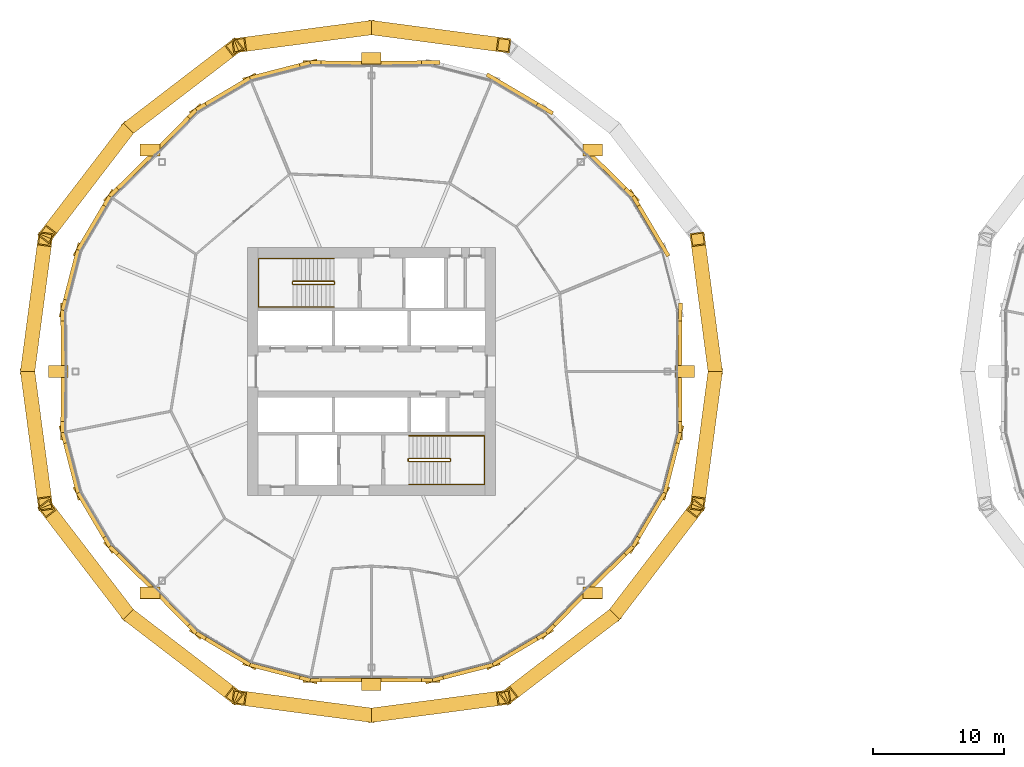
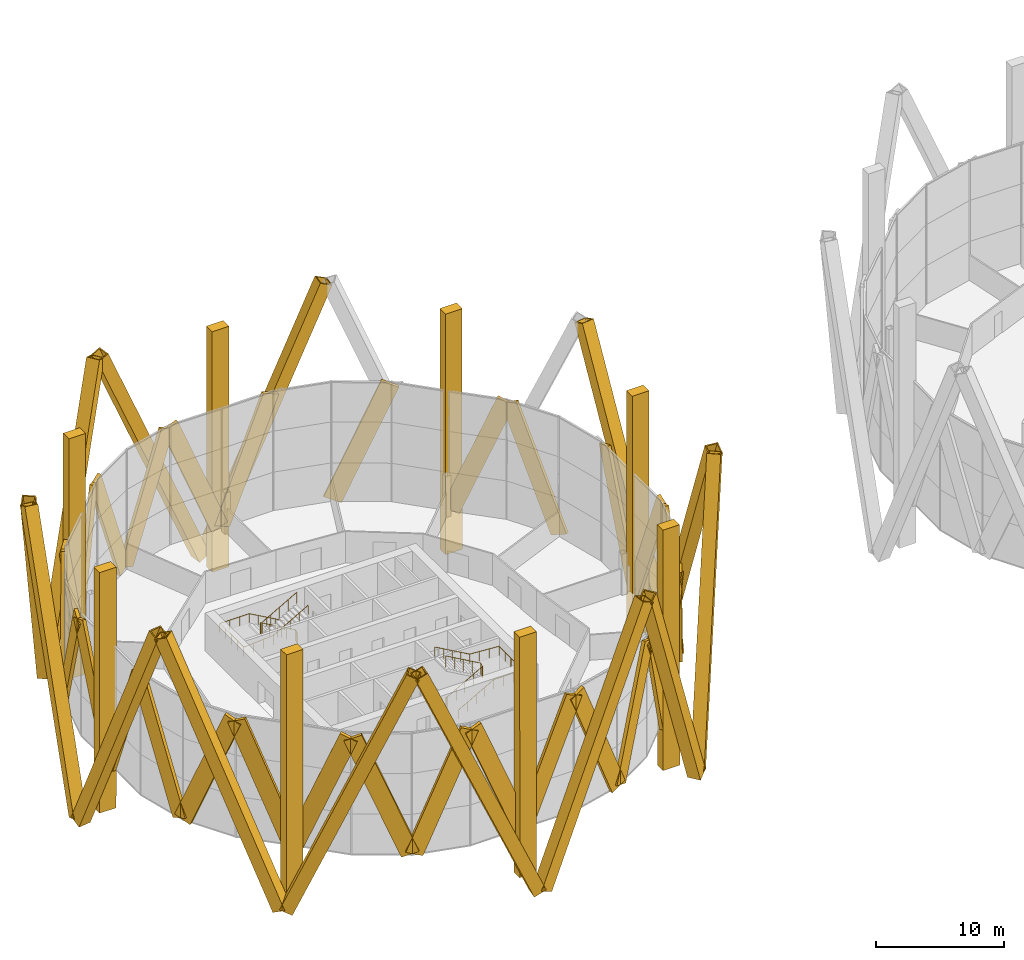
# One storey, part 24 of 26: 51 coverings, 4 railings.
"""IFC4 building model written with IfcOpenShell, lengths in metres."""

from ifc_helpers import new_model, si_unit, direction, frame, origin, origin_2d, place, context, subcontext, project, spatial, rectangle, hollow_rectangle, circle, extrude, material, material_profile, profile_set, type_object, element, save


model = new_model("IFC4")

# Units and contexts
model_context = context("Model", 3, precision=1e-05, world=origin(), true_north=direction((0.0, 1.0)))
body_context = subcontext(model_context, "Body", "Model", "MODEL_VIEW")
ifc_project = project(units=[si_unit("LENGTHUNIT", "METRE"), si_unit("AREAUNIT", "SQUARE_METRE"), si_unit("VOLUMEUNIT", "CUBIC_METRE"), si_unit("PLANEANGLEUNIT", "RADIAN"), si_unit("MASSUNIT", "GRAM", prefix="KILO")], contexts=[model_context])

# Site, building, storey
site_placement = place(None, origin())
site = spatial("IfcSite", under=ifc_project, at=site_placement, CompositionType="ELEMENT")
building_placement = place(site_placement, origin())
building = spatial("IfcBuilding", under=site, at=building_placement, Name="Ogive Gate Towers", CompositionType="ELEMENT")
storey_placement = place(building_placement, frame((0.0, 0.0, 76.199951171875)))
storey = spatial("IfcBuildingStorey", under=building, at=storey_placement, Name="L17", CompositionType="ELEMENT", Elevation=76.199951171875)

# Coverings
ifc_material_1 = material(Name="Pale metal aluminium", Category="aluminium")
ifc_material_profile_1 = material_profile(ifc_material_1, rectangle(XDim=1.5, YDim=0.89990234375, at=origin_2d()), Name="1500 x 900 pale metal aluminium")
ifc_profile_set_1 = profile_set([ifc_material_profile_1], Name="Pale metal aluminium")
covering_type_1 = type_object("IfcCoveringType", Name="Crease colonnette 1500 x 900", PredefinedType="CLADDING", material=ifc_profile_set_1)
for number, where, z_axis, x_axis, name in (
    (1, (-12.010009765625, 0.0, -4.099853515625), (-0.000437109491, 0.0, 0.999999904468), (1.0, 0.0, 0.0), "Crease colonnette"),
    (2, (-19.03662109375, 16.96337890625, -4.099853515625), (-0.000309175006, -0.000309175006, 0.999999904411), (1.0, 0.0, 0.0), "Crease colonnette"),
    (3, (-36.0, 23.989990234375, -4.099853515625), (0.0, -0.000437109491, 0.999999904468), (1.0, 0.0, 0.0), "Crease colonnette"),
    (4, (-52.96337890625, 16.96337890625, -4.099853515625), (0.000309175006, -0.000309175006, 0.999999904411), (1.0, 0.0, 0.0), "Crease colonnette"),
    (5, (-59.989990234375, 0.0, -4.099853515625), (0.000437109491, 0.0, 0.999999904468), (1.0, 0.0, 0.0), "Crease colonnette"),
    (6, (-52.96337890625, -16.96337890625, -4.099853515625), (0.000309175006, 0.000309175006, 0.999999904411), (1.0, 0.0, 0.0), "Crease colonnette"),
    (7, (-36.0, -23.989990234375, -4.099853515625), (0.0, 0.000437109491, 0.999999904468), (1.0, 0.0, 0.0), "Crease colonnette"),
    (8, (-19.03662109375, -16.96337890625, -4.099853515625), (-0.000309175006, 0.000309175006, 0.999999904411), (1.0, 0.0, 0.0), "Crease colonnette"),
):
    element("IfcCovering", number, at=place(storey_placement, frame(where, z_axis=z_axis, x_axis=x_axis)), inside=storey, type_object=covering_type_1, Name=name, PredefinedType="CLADDING", context=body_context, shape_type="SweptSolid", body=[
        extrude(rectangle(XDim=1.5, YDim=0.89990234375, at=origin_2d()), origin(), (0.0, 0.0, 1.0), 22.89990234375),
    ])
ifc_material_2 = material(Name="Pale metal aluminium cladding", Category="aluminium")
ifc_material_profile_2 = material_profile(ifc_material_2, hollow_rectangle(XDim=1.10009765625, YDim=1.10009765625, WallThickness=0.10009765625, at=origin_2d()), Name="1100 x 1100 pale metal casing")
ifc_profile_set_2 = profile_set([ifc_material_profile_2], Name="Pale metal aluminium cladding")
covering_type_2 = type_object("IfcCoveringType", Name="Diagrid casing 1100 x 1100", PredefinedType="CLADDING", material=ifc_profile_set_2)
for number, where, z_axis, x_axis, name in (
    (9, (-9.698486328125, -0.215087890625, -4.29443359375), (-0.051682082451, -0.391020952239, 0.918929582321), (0.991378063064, -0.131032576392, 0.0), "Diagrid casing"),
    (10, (-9.698486328125, 0.215087890625, -4.29443359375), (-0.051682082451, 0.391020952239, 0.918929582321), (-0.991378063064, -0.131032576392, 0.0), "Diagrid casing"),
    (11, (-35.784912109375, 26.301513671875, -4.29443359375), (0.391020952239, -0.051682082451, 0.918929582321), (0.131032576392, 0.991378063064, 0.0), "Diagrid casing"),
    (12, (-36.215087890625, 26.301513671875, -4.29443359375), (-0.391020952239, -0.051682082451, 0.918929582321), (0.131032576392, -0.991378063064, 0.0), "Diagrid casing"),
    (13, (-54.44580078125, 18.75, -4.29443359375), (0.313039732021, 0.239952815267, 0.918928056282), (-0.608360783649, 0.793660605623, 0.0), "Diagrid casing"),
    (14, (-54.75, 18.44580078125, -4.29443359375), (-0.239952815267, -0.313039732021, 0.918928056282), (0.793660605623, -0.608360783649, 0.0), "Diagrid casing"),
    (15, (-62.301513671875, 0.215087890625, -4.29443359375), (0.051682082451, 0.391020952239, 0.918929582321), (-0.991378063064, 0.131032576392, 0.0), "Diagrid casing"),
    (16, (-62.301513671875, -0.215087890625, -4.29443359375), (0.051682082451, -0.391020952239, 0.918929582321), (0.991378063064, 0.131032576392, 0.0), "Diagrid casing"),
    (17, (-54.75, -18.44580078125, -4.29443359375), (-0.239952815267, 0.313039732021, 0.918928056282), (-0.793660605623, -0.608360783649, 0.0), "Diagrid casing"),
    (18, (-54.44580078125, -18.75, -4.29443359375), (0.313039732021, -0.239952815267, 0.918928056282), (0.608360783649, 0.793660605623, 0.0), "Diagrid casing"),
    (19, (-36.215087890625, -26.301513671875, -4.29443359375), (-0.391020952239, 0.051682082451, 0.918929582321), (-0.131032576392, -0.991378063064, 0.0), "Diagrid casing"),
    (20, (-35.784912109375, -26.301513671875, -4.29443359375), (0.391020952239, 0.051682082451, 0.918929582321), (-0.131032576392, 0.991378063064, 0.0), "Diagrid casing"),
    (21, (-17.55419921875, -18.75, -4.29443359375), (-0.313039732021, -0.239952815267, 0.918928056282), (0.608360783649, -0.793660605623, 0.0), "Diagrid casing"),
    (22, (-17.25, -18.44580078125, -4.29443359375), (0.239952815267, 0.313039732021, 0.918928056282), (-0.793660605623, 0.608360783649, 0.0), "Diagrid casing"),
):
    element("IfcCovering", number, at=place(storey_placement, frame(where, z_axis=z_axis, x_axis=x_axis)), inside=storey, type_object=covering_type_2, Name=name, PredefinedType="CLADDING", context=body_context, shape_type="SweptSolid", body=[
        extrude(hollow_rectangle(XDim=1.10009765625, YDim=1.10009765625, WallThickness=0.10009765625, at=origin_2d()), origin(), (0.0, 0.0, 1.0), 25.34375),
    ])
ifc_material_profile_3 = material_profile(ifc_material_1, rectangle(XDim=0.300048828125, YDim=1.5, at=origin_2d()), Name="1500 x 300 pale metal aluminium")
ifc_profile_set_3 = profile_set([ifc_material_profile_3], Name="Pale metal aluminium")
covering_type_3 = type_object("IfcCoveringType", Name="Facade fin 1500 x 300", PredefinedType="CLADDING", material=ifc_profile_set_3)
covering_1_placement = place(storey_placement, frame((-12.388916015625, 0.110107421875, 0.029296875), z_axis=(0.003426855882, 0.372460246193, 0.928041821075), x_axis=(-0.999957677213, 0.009200205614, 0.0)))
element("IfcCovering", 23, at=covering_1_placement, inside=storey, type_object=covering_type_3, Name="Facade fin", PredefinedType="CLADDING", context=body_context, shape_type="SweptSolid", body=[
    extrude(rectangle(XDim=0.300048828125, YDim=1.5, at=origin_2d()), origin(), (0.0, 0.0, 1.0), 11.897705078125),
])
covering_2_placement = place(storey_placement, frame((-13.611083984375, 9.4287109375, 0.032470703125), z_axis=(-0.191500636824, 0.324346005819, 0.92635153943), x_axis=(-0.861110619757, -0.508417643815, 0.0)))
element("IfcCovering", 24, at=covering_2_placement, inside=storey, type_object=covering_type_3, Name="Facade fin", PredefinedType="CLADDING", context=body_context, shape_type="SweptSolid", body=[
    extrude(rectangle(XDim=0.300048828125, YDim=1.5, at=origin_2d()), origin(), (0.0, 0.0, 1.0), 11.91259765625),
])
covering_3_placement = place(storey_placement, frame((-19.2265625, 16.61767578125, 0.029296875), z_axis=(0.265778271081, -0.260935492207, 0.928048802341), x_axis=(0.700575798622, 0.713577991802, 0.0)))
element("IfcCovering", 25, at=covering_3_placement, inside=storey, type_object=covering_type_3, Name="Facade fin", PredefinedType="CLADDING", context=body_context, shape_type="SweptSolid", body=[
    extrude(rectangle(XDim=0.300048828125, YDim=1.5, at=origin_2d()), origin(), (0.0, 0.0, 1.0), 11.8974609375),
])
covering_4_placement = place(storey_placement, frame((-26.5712890625, 22.388916015625, 0.032470703125), z_axis=(0.324346005819, -0.191500636824, 0.92635153943), x_axis=(0.508417643815, 0.861110619757, 0.0)))
element("IfcCovering", 26, at=covering_4_placement, inside=storey, type_object=covering_type_3, Name="Facade fin", PredefinedType="CLADDING", context=body_context, shape_type="SweptSolid", body=[
    extrude(rectangle(XDim=0.300048828125, YDim=1.5, at=origin_2d()), origin(), (0.0, 0.0, 1.0), 11.91259765625),
])
for number, where, z_axis, x_axis, name in (
    (27, (-35.889892578125, 23.611083984375, 0.029296875), (0.372460246193, 0.003426855882, 0.928041821075), (-0.009200205614, 0.999957677213, 0.0), "Facade fin"),
    (28, (-36.110107421875, 23.611083984375, 0.029296875), (-0.372460246193, 0.003426855882, 0.928041821075), (-0.009200205614, -0.999957677213, 0.0), "Facade fin"),
):
    element("IfcCovering", number, at=place(storey_placement, frame(where, z_axis=z_axis, x_axis=x_axis)), inside=storey, type_object=covering_type_3, Name=name, PredefinedType="CLADDING", context=body_context, shape_type="SweptSolid", body=[
        extrude(rectangle(XDim=0.300048828125, YDim=1.5, at=origin_2d()), origin(), (0.0, 0.0, 1.0), 11.897705078125),
    ])
for number, where, z_axis, x_axis, name in (
    (29, (-45.164306640625, 22.498291015625, 0.032470703125), (0.364760457467, 0.093946619678, 0.926349740281), (-0.249417227623, 0.968396120689, 0.0), "Facade fin"),
    (30, (-45.4287109375, 22.388916015625, 0.032470703125), (-0.324346005819, -0.191500636824, 0.92635153943), (0.508417643815, -0.861110619757, 0.0), "Facade fin"),
):
    element("IfcCovering", number, at=place(storey_placement, frame(where, z_axis=z_axis, x_axis=x_axis)), inside=storey, type_object=covering_type_3, Name=name, PredefinedType="CLADDING", context=body_context, shape_type="SweptSolid", body=[
        extrude(rectangle(XDim=0.300048828125, YDim=1.5, at=origin_2d()), origin(), (0.0, 0.0, 1.0), 11.91259765625),
    ])
for number, where, z_axis, x_axis, name in (
    (31, (-52.61767578125, 16.7734375, 0.029296875), (0.260935492207, 0.265778271081, 0.928048802341), (-0.713577991802, 0.700575798622, 0.0), "Facade fin"),
    (32, (-52.7734375, 16.61767578125, 0.029296875), (-0.265778271081, -0.260935492207, 0.928048802341), (0.700575798622, -0.713577991802, 0.0), "Facade fin"),
):
    element("IfcCovering", number, at=place(storey_placement, frame(where, z_axis=z_axis, x_axis=x_axis)), inside=storey, type_object=covering_type_3, Name=name, PredefinedType="CLADDING", context=body_context, shape_type="SweptSolid", body=[
        extrude(rectangle(XDim=0.300048828125, YDim=1.5, at=origin_2d()), origin(), (0.0, 0.0, 1.0), 11.8974609375),
    ])
for number, where, z_axis, x_axis, name in (
    (33, (-58.388916015625, 9.4287109375, 0.032470703125), (0.191500636824, 0.324346005819, 0.92635153943), (-0.861110619757, 0.508417643815, 0.0), "Facade fin"),
    (34, (-58.498291015625, 9.164306640625, 0.032470703125), (-0.093946619678, -0.364760457467, 0.926349740281), (0.968396120689, -0.249417227623, 0.0), "Facade fin"),
):
    element("IfcCovering", number, at=place(storey_placement, frame(where, z_axis=z_axis, x_axis=x_axis)), inside=storey, type_object=covering_type_3, Name=name, PredefinedType="CLADDING", context=body_context, shape_type="SweptSolid", body=[
        extrude(rectangle(XDim=0.300048828125, YDim=1.5, at=origin_2d()), origin(), (0.0, 0.0, 1.0), 11.91259765625),
    ])
for number, where, z_axis, x_axis, name in (
    (35, (-59.611083984375, 0.110107421875, 0.029296875), (-0.003426855882, 0.372460246193, 0.928041821075), (-0.999957677213, -0.009200205614, 0.0), "Facade fin"),
    (36, (-59.611083984375, -0.110107421875, 0.029296875), (-0.003426855882, -0.372460246193, 0.928041821075), (0.999957677213, -0.009200205614, 0.0), "Facade fin"),
):
    element("IfcCovering", number, at=place(storey_placement, frame(where, z_axis=z_axis, x_axis=x_axis)), inside=storey, type_object=covering_type_3, Name=name, PredefinedType="CLADDING", context=body_context, shape_type="SweptSolid", body=[
        extrude(rectangle(XDim=0.300048828125, YDim=1.5, at=origin_2d()), origin(), (0.0, 0.0, 1.0), 11.897705078125),
    ])
for number, where, z_axis, x_axis, name in (
    (37, (-58.498291015625, -9.164306640625, 0.032470703125), (-0.093946619678, 0.364760457467, 0.926349740281), (-0.968396120689, -0.249417227623, 0.0), "Facade fin"),
    (38, (-58.388916015625, -9.4287109375, 0.032470703125), (0.191500636824, -0.324346005819, 0.92635153943), (0.861110619757, 0.508417643815, 0.0), "Facade fin"),
):
    element("IfcCovering", number, at=place(storey_placement, frame(where, z_axis=z_axis, x_axis=x_axis)), inside=storey, type_object=covering_type_3, Name=name, PredefinedType="CLADDING", context=body_context, shape_type="SweptSolid", body=[
        extrude(rectangle(XDim=0.300048828125, YDim=1.5, at=origin_2d()), origin(), (0.0, 0.0, 1.0), 11.91259765625),
    ])
for number, where, z_axis, x_axis, name in (
    (39, (-52.7734375, -16.61767578125, 0.029296875), (-0.265778271081, 0.260935492207, 0.928048802341), (-0.700575798622, -0.713577991802, 0.0), "Facade fin"),
    (40, (-52.61767578125, -16.7734375, 0.029296875), (0.260935492207, -0.265778271081, 0.928048802341), (0.713577991802, 0.700575798622, 0.0), "Facade fin"),
):
    element("IfcCovering", number, at=place(storey_placement, frame(where, z_axis=z_axis, x_axis=x_axis)), inside=storey, type_object=covering_type_3, Name=name, PredefinedType="CLADDING", context=body_context, shape_type="SweptSolid", body=[
        extrude(rectangle(XDim=0.300048828125, YDim=1.5, at=origin_2d()), origin(), (0.0, 0.0, 1.0), 11.8974609375),
    ])
for number, where, z_axis, x_axis, name in (
    (41, (-45.4287109375, -22.388916015625, 0.032470703125), (-0.324346005819, 0.191500636824, 0.92635153943), (-0.508417643815, -0.861110619757, 0.0), "Facade fin"),
    (42, (-45.164306640625, -22.498291015625, 0.032470703125), (0.364760457467, -0.093946619678, 0.926349740281), (0.249417227623, 0.968396120689, 0.0), "Facade fin"),
):
    element("IfcCovering", number, at=place(storey_placement, frame(where, z_axis=z_axis, x_axis=x_axis)), inside=storey, type_object=covering_type_3, Name=name, PredefinedType="CLADDING", context=body_context, shape_type="SweptSolid", body=[
        extrude(rectangle(XDim=0.300048828125, YDim=1.5, at=origin_2d()), origin(), (0.0, 0.0, 1.0), 11.91259765625),
    ])
for number, where, z_axis, x_axis, name in (
    (43, (-36.110107421875, -23.611083984375, 0.029296875), (-0.372460246193, -0.003426855882, 0.928041821075), (0.009200205614, -0.999957677213, 0.0), "Facade fin"),
    (44, (-35.889892578125, -23.611083984375, 0.029296875), (0.372460246193, -0.003426855882, 0.928041821075), (0.009200205614, 0.999957677213, 0.0), "Facade fin"),
):
    element("IfcCovering", number, at=place(storey_placement, frame(where, z_axis=z_axis, x_axis=x_axis)), inside=storey, type_object=covering_type_3, Name=name, PredefinedType="CLADDING", context=body_context, shape_type="SweptSolid", body=[
        extrude(rectangle(XDim=0.300048828125, YDim=1.5, at=origin_2d()), origin(), (0.0, 0.0, 1.0), 11.897705078125),
    ])
for number, where, z_axis, x_axis, name in (
    (45, (-26.835693359375, -22.498291015625, 0.032470703125), (-0.364760457467, -0.093946619678, 0.926349740281), (0.249417227623, -0.968396120689, 0.0), "Facade fin"),
    (46, (-26.5712890625, -22.388916015625, 0.032470703125), (0.324346005819, 0.191500636824, 0.92635153943), (-0.508417643815, 0.861110619757, 0.0), "Facade fin"),
):
    element("IfcCovering", number, at=place(storey_placement, frame(where, z_axis=z_axis, x_axis=x_axis)), inside=storey, type_object=covering_type_3, Name=name, PredefinedType="CLADDING", context=body_context, shape_type="SweptSolid", body=[
        extrude(rectangle(XDim=0.300048828125, YDim=1.5, at=origin_2d()), origin(), (0.0, 0.0, 1.0), 11.91259765625),
    ])
for number, where, z_axis, x_axis, name in (
    (47, (-19.38232421875, -16.7734375, 0.029296875), (-0.260935492207, -0.265778271081, 0.928048802341), (0.713577991802, -0.700575798622, 0.0), "Facade fin"),
    (48, (-19.2265625, -16.61767578125, 0.029296875), (0.265778271081, 0.260935492207, 0.928048802341), (-0.700575798622, 0.713577991802, 0.0), "Facade fin"),
):
    element("IfcCovering", number, at=place(storey_placement, frame(where, z_axis=z_axis, x_axis=x_axis)), inside=storey, type_object=covering_type_3, Name=name, PredefinedType="CLADDING", context=body_context, shape_type="SweptSolid", body=[
        extrude(rectangle(XDim=0.300048828125, YDim=1.5, at=origin_2d()), origin(), (0.0, 0.0, 1.0), 11.8974609375),
    ])
for number, where, z_axis, x_axis, name in (
    (49, (-13.611083984375, -9.4287109375, 0.032470703125), (-0.191500636824, -0.324346005819, 0.92635153943), (0.861110619757, -0.508417643815, 0.0), "Facade fin"),
    (50, (-13.501708984375, -9.164306640625, 0.032470703125), (0.093946619678, 0.364760457467, 0.926349740281), (-0.968396120689, 0.249417227623, 0.0), "Facade fin"),
):
    element("IfcCovering", number, at=place(storey_placement, frame(where, z_axis=z_axis, x_axis=x_axis)), inside=storey, type_object=covering_type_3, Name=name, PredefinedType="CLADDING", context=body_context, shape_type="SweptSolid", body=[
        extrude(rectangle(XDim=0.300048828125, YDim=1.5, at=origin_2d()), origin(), (0.0, 0.0, 1.0), 11.91259765625),
    ])
covering_5_placement = place(storey_placement, frame((-12.388916015625, -0.110107421875, 0.029296875), z_axis=(0.003426855882, -0.372460246193, 0.928041821075), x_axis=(0.999957677213, 0.009200205614, 0.0)))
element("IfcCovering", 51, at=covering_5_placement, inside=storey, type_object=covering_type_3, Name="Facade fin", PredefinedType="CLADDING", context=body_context, shape_type="SweptSolid", body=[
    extrude(rectangle(XDim=0.300048828125, YDim=1.5, at=origin_2d()), origin(), (0.0, 0.0, 1.0), 11.897705078125),
])

# Railings
ifc_material_3 = material(Name="Stainless steel", Category="steel")
railing_type_1 = type_object("IfcRailingType", Name="Stair guard 1100", PredefinedType="GUARDRAIL", material=ifc_material_3)
railing_1_placement = place(storey_placement, frame((-38.81494140625, 6.860107421875, 0.0)))
element("IfcRailing", 52, at=railing_1_placement, inside=storey, type_object=railing_type_1, Name="L17 ST1 stair guard 1", PredefinedType="GUARDRAIL", context=body_context, shape_type="SweptSolid", body=[
    extrude(circle(Radius=0.02392578125, at=origin_2d()), frame((0.0, 0.0, 1.076171875), z_axis=(0.0, -1.0, 0.0), x_axis=(1.0, 0.0, 0.0)), (0.0, 0.0, 1.0), 0.14501953125),
    extrude(circle(Radius=0.02392578125, at=origin_2d()), frame((0.0, -0.14501953125, 1.076171875), z_axis=(-0.186679794065, 0.726685247142, 0.661119660934), x_axis=(-0.968551454522, -0.24881334358, 0.0)), (0.0, 0.0, 1.0), 0.26806640625),
    extrude(circle(Radius=0.02392578125, at=origin_2d()), frame((-0.050048828125, 0.0498046875, 1.25341796875), z_axis=(-0.870572935281, 0.0, 0.492039393094), x_axis=(0.0, -1.0, 0.0)), (0.0, 0.0, 1.0), 3.602783203125),
    extrude(circle(Radius=0.02392578125, at=origin_2d()), frame((-3.1865234375, 0.0498046875, 3.02587890625), z_axis=(-0.707106781187, -0.707106781187, 0.0), x_axis=(0.707106781187, -0.707106781187, 0.0)), (0.0, 0.0, 1.0), 0.0703125),
    extrude(circle(Radius=0.02392578125, at=origin_2d()), frame((-3.236328125, 0.0, 3.02587890625), z_axis=(0.0, -1.0, 0.0), x_axis=(1.0, 0.0, 0.0)), (0.0, 0.0, 1.0), 0.14501953125),
    extrude(circle(Radius=0.02392578125, at=origin_2d()), frame((-3.236328125, -0.14501953125, 3.02587890625), z_axis=(0.260731885961, -0.262009983441, 0.929176868105), x_axis=(0.708833529934, 0.705375805398, 0.0)), (0.0, 0.0, 1.0), 0.19091796875),
    extrude(circle(Radius=0.02392578125, at=origin_2d()), frame((-3.1865234375, -0.195068359375, 3.20361328125), z_axis=(0.870572935281, 0.0, 0.492039393094), x_axis=(0.0, 1.0, 0.0)), (0.0, 0.0, 1.0), 3.602783203125),
    extrude(circle(Radius=0.02099609375, at=origin_2d()), origin(), (0.0, 0.0, 1.0), 1.052001953125),
    extrude(circle(Radius=0.02099609375, at=origin_2d()), frame((0.0, -0.14501953125, 0.0)), (0.0, 0.0, 1.0), 1.052001953125),
    extrude(circle(Radius=0.02099609375, at=origin_2d()), frame((-0.050048828125, 0.0498046875, 0.17724609375)), (0.0, 0.0, 1.0), 1.052001953125),
    extrude(circle(Radius=0.02099609375, at=origin_2d()), frame((-0.834228515625, 0.0498046875, 0.620361328125)), (0.0, 0.0, 1.0), 1.052001953125),
    extrude(circle(Radius=0.02099609375, at=origin_2d()), frame((-1.6181640625, 0.0498046875, 1.0634765625)), (0.0, 0.0, 1.0), 1.052001953125),
    extrude(circle(Radius=0.02099609375, at=origin_2d()), frame((-2.40234375, 0.0498046875, 1.5068359375)), (0.0, 0.0, 1.0), 1.052001953125),
    extrude(circle(Radius=0.02099609375, at=origin_2d()), frame((-3.1865234375, 0.0498046875, 1.949951171875)), (0.0, 0.0, 1.0), 1.052001953125),
    extrude(circle(Radius=0.02099609375, at=origin_2d()), frame((-3.236328125, 0.0, 1.949951171875)), (0.0, 0.0, 1.0), 1.052001953125),
    extrude(circle(Radius=0.02099609375, at=origin_2d()), frame((-3.236328125, -0.14501953125, 1.949951171875)), (0.0, 0.0, 1.0), 1.052001953125),
    extrude(circle(Radius=0.02099609375, at=origin_2d()), frame((-3.1865234375, -0.195068359375, 2.12744140625)), (0.0, 0.0, 1.0), 1.052001953125),
    extrude(circle(Radius=0.02099609375, at=origin_2d()), frame((-2.40234375, -0.195068359375, 2.570556640625)), (0.0, 0.0, 1.0), 1.052001953125),
    extrude(circle(Radius=0.02099609375, at=origin_2d()), frame((-1.6181640625, -0.195068359375, 3.013671875)), (0.0, 0.0, 1.0), 1.052001953125),
    extrude(circle(Radius=0.02099609375, at=origin_2d()), frame((-0.834228515625, -0.195068359375, 3.45703125)), (0.0, 0.0, 1.0), 1.052001953125),
    extrude(circle(Radius=0.02099609375, at=origin_2d()), frame((-0.050048828125, -0.195068359375, 3.900146484375)), (0.0, 0.0, 1.0), 1.052001953125),
])
railing_2_placement = place(storey_placement, frame((-33.18505859375, -6.860107421875, 0.0)))
element("IfcRailing", 53, at=railing_2_placement, inside=storey, type_object=railing_type_1, Name="L17 ST2 stair guard 1", PredefinedType="GUARDRAIL", context=body_context, shape_type="SweptSolid", body=[
    extrude(circle(Radius=0.02392578125, at=origin_2d()), frame((0.0, 0.0, 1.076171875), z_axis=(0.0, 1.0, 0.0), x_axis=(-1.0, 0.0, 0.0)), (0.0, 0.0, 1.0), 0.14501953125),
    extrude(circle(Radius=0.02392578125, at=origin_2d()), frame((0.0, 0.14501953125, 1.076171875), z_axis=(0.186679794065, -0.726685247142, 0.661119660934), x_axis=(0.968551454522, 0.24881334358, 0.0)), (0.0, 0.0, 1.0), 0.26806640625),
    extrude(circle(Radius=0.02392578125, at=origin_2d()), frame((0.050048828125, -0.0498046875, 1.25341796875), z_axis=(0.870572935281, 0.0, 0.492039393094), x_axis=(0.0, 1.0, 0.0)), (0.0, 0.0, 1.0), 3.602783203125),
    extrude(circle(Radius=0.02392578125, at=origin_2d()), frame((3.1865234375, -0.0498046875, 3.02587890625), z_axis=(0.707106781187, 0.707106781187, 0.0), x_axis=(-0.707106781187, 0.707106781187, 0.0)), (0.0, 0.0, 1.0), 0.0703125),
    extrude(circle(Radius=0.02392578125, at=origin_2d()), frame((3.236328125, 0.0, 3.02587890625), z_axis=(0.0, 1.0, 0.0), x_axis=(-1.0, 0.0, 0.0)), (0.0, 0.0, 1.0), 0.14501953125),
    extrude(circle(Radius=0.02392578125, at=origin_2d()), frame((3.236328125, 0.14501953125, 3.02587890625), z_axis=(-0.260731885961, 0.262009983441, 0.929176868105), x_axis=(-0.708833529934, -0.705375805398, 0.0)), (0.0, 0.0, 1.0), 0.19091796875),
    extrude(circle(Radius=0.02392578125, at=origin_2d()), frame((3.1865234375, 0.195068359375, 3.20361328125), z_axis=(-0.870572935281, 0.0, 0.492039393094), x_axis=(0.0, -1.0, 0.0)), (0.0, 0.0, 1.0), 3.602783203125),
    extrude(circle(Radius=0.02099609375, at=origin_2d()), origin(), (0.0, 0.0, 1.0), 1.052001953125),
    extrude(circle(Radius=0.02099609375, at=origin_2d()), frame((0.0, 0.14501953125, 0.0)), (0.0, 0.0, 1.0), 1.052001953125),
    extrude(circle(Radius=0.02099609375, at=origin_2d()), frame((0.050048828125, -0.0498046875, 0.17724609375)), (0.0, 0.0, 1.0), 1.052001953125),
    extrude(circle(Radius=0.02099609375, at=origin_2d()), frame((0.834228515625, -0.0498046875, 0.620361328125)), (0.0, 0.0, 1.0), 1.052001953125),
    extrude(circle(Radius=0.02099609375, at=origin_2d()), frame((1.6181640625, -0.0498046875, 1.0634765625)), (0.0, 0.0, 1.0), 1.052001953125),
    extrude(circle(Radius=0.02099609375, at=origin_2d()), frame((2.40234375, -0.0498046875, 1.5068359375)), (0.0, 0.0, 1.0), 1.052001953125),
    extrude(circle(Radius=0.02099609375, at=origin_2d()), frame((3.1865234375, -0.0498046875, 1.949951171875)), (0.0, 0.0, 1.0), 1.052001953125),
    extrude(circle(Radius=0.02099609375, at=origin_2d()), frame((3.236328125, 0.0, 1.949951171875)), (0.0, 0.0, 1.0), 1.052001953125),
    extrude(circle(Radius=0.02099609375, at=origin_2d()), frame((3.236328125, 0.14501953125, 1.949951171875)), (0.0, 0.0, 1.0), 1.052001953125),
    extrude(circle(Radius=0.02099609375, at=origin_2d()), frame((3.1865234375, 0.195068359375, 2.12744140625)), (0.0, 0.0, 1.0), 1.052001953125),
    extrude(circle(Radius=0.02099609375, at=origin_2d()), frame((2.40234375, 0.195068359375, 2.570556640625)), (0.0, 0.0, 1.0), 1.052001953125),
    extrude(circle(Radius=0.02099609375, at=origin_2d()), frame((1.6181640625, 0.195068359375, 3.013671875)), (0.0, 0.0, 1.0), 1.052001953125),
    extrude(circle(Radius=0.02099609375, at=origin_2d()), frame((0.834228515625, 0.195068359375, 3.45703125)), (0.0, 0.0, 1.0), 1.052001953125),
    extrude(circle(Radius=0.02099609375, at=origin_2d()), frame((0.050048828125, 0.195068359375, 3.900146484375)), (0.0, 0.0, 1.0), 1.052001953125),
])
railing_type_2 = type_object("IfcRailingType", Name="Stair handrail 900", PredefinedType="HANDRAIL", material=ifc_material_3)
railing_3_placement = place(storey_placement, frame((-38.864990234375, 8.64990234375, 0.17724609375)))
element("IfcRailing", 54, at=railing_3_placement, inside=storey, type_object=railing_type_2, Name="L17 ST1 stair handrail 1", PredefinedType="HANDRAIL", context=body_context, shape_type="SweptSolid", body=[
    extrude(circle(Radius=0.02392578125, at=origin_2d()), frame((0.0, 0.0, 0.8759765625), z_axis=(-0.870572935281, 0.0, 0.492039393094), x_axis=(0.0, -1.0, 0.0)), (0.0, 0.0, 1.0), 3.602783203125),
    extrude(circle(Radius=0.02392578125, at=origin_2d()), frame((-3.136474609375, 0.0, 2.6484375), z_axis=(-1.0, 0.0, 0.0), x_axis=(0.0, -1.0, 0.0)), (0.0, 0.0, 1.0), 2.6484375),
    extrude(circle(Radius=0.02392578125, at=origin_2d()), frame((-5.784912109375, 0.0, 2.6484375), z_axis=(0.0, -1.0, 0.0), x_axis=(1.0, 0.0, 0.0)), (0.0, 0.0, 1.0), 3.724853515625),
    extrude(circle(Radius=0.02392578125, at=origin_2d()), frame((-5.784912109375, -3.724853515625, 2.6484375), z_axis=(0.997761899551, 0.0, 0.06686697096), x_axis=(0.0, 1.0, 0.0)), (0.0, 0.0, 1.0), 2.654296875),
    extrude(circle(Radius=0.02392578125, at=origin_2d()), frame((-3.136474609375, -3.724853515625, 2.826171875), z_axis=(0.870572935281, 0.0, 0.492039393094), x_axis=(0.0, 1.0, 0.0)), (0.0, 0.0, 1.0), 3.602783203125),
    extrude(circle(Radius=0.02099609375, at=origin_2d()), origin(), (0.0, 0.0, 1.0), 0.851806640625),
    extrude(circle(Radius=0.02099609375, at=origin_2d()), frame((-0.7841796875, 0.0, 0.443115234375)), (0.0, 0.0, 1.0), 0.851806640625),
    extrude(circle(Radius=0.02099609375, at=origin_2d()), frame((-1.568359375, 0.0, 0.88623046875)), (0.0, 0.0, 1.0), 0.851806640625),
    extrude(circle(Radius=0.02099609375, at=origin_2d()), frame((-2.352294921875, 0.0, 1.32958984375)), (0.0, 0.0, 1.0), 0.851806640625),
    extrude(circle(Radius=0.02099609375, at=origin_2d()), frame((-3.136474609375, 0.0, 1.772705078125)), (0.0, 0.0, 1.0), 0.851806640625),
    extrude(circle(Radius=0.02099609375, at=origin_2d()), frame((-4.019287109375, 0.0, 1.772705078125)), (0.0, 0.0, 1.0), 0.851806640625),
    extrude(circle(Radius=0.02099609375, at=origin_2d()), frame((-4.902099609375, 0.0, 1.772705078125)), (0.0, 0.0, 1.0), 0.851806640625),
    extrude(circle(Radius=0.02099609375, at=origin_2d()), frame((-5.784912109375, 0.0, 1.772705078125)), (0.0, 0.0, 1.0), 0.851806640625),
    extrude(circle(Radius=0.02099609375, at=origin_2d()), frame((-5.784912109375, -0.93115234375, 1.772705078125)), (0.0, 0.0, 1.0), 0.851806640625),
    extrude(circle(Radius=0.02099609375, at=origin_2d()), frame((-5.784912109375, -1.8623046875, 1.772705078125)), (0.0, 0.0, 1.0), 0.851806640625),
    extrude(circle(Radius=0.02099609375, at=origin_2d()), frame((-5.784912109375, -2.793701171875, 1.772705078125)), (0.0, 0.0, 1.0), 0.851806640625),
    extrude(circle(Radius=0.02099609375, at=origin_2d()), frame((-5.784912109375, -3.724853515625, 1.772705078125)), (0.0, 0.0, 1.0), 0.851806640625),
    extrude(circle(Radius=0.02099609375, at=origin_2d()), frame((-4.902099609375, -3.724853515625, 1.831787109375)), (0.0, 0.0, 1.0), 0.851806640625),
    extrude(circle(Radius=0.02099609375, at=origin_2d()), frame((-4.019287109375, -3.724853515625, 1.89111328125)), (0.0, 0.0, 1.0), 0.851806640625),
    extrude(circle(Radius=0.02099609375, at=origin_2d()), frame((-3.136474609375, -3.724853515625, 1.9501953125)), (0.0, 0.0, 1.0), 0.851806640625),
    extrude(circle(Radius=0.02099609375, at=origin_2d()), frame((-2.352294921875, -3.724853515625, 2.393310546875)), (0.0, 0.0, 1.0), 0.851806640625),
    extrude(circle(Radius=0.02099609375, at=origin_2d()), frame((-1.568359375, -3.724853515625, 2.83642578125)), (0.0, 0.0, 1.0), 0.851806640625),
    extrude(circle(Radius=0.02099609375, at=origin_2d()), frame((-0.7841796875, -3.724853515625, 3.27978515625)), (0.0, 0.0, 1.0), 0.851806640625),
    extrude(circle(Radius=0.02099609375, at=origin_2d()), frame((0.0, -3.724853515625, 3.722900390625)), (0.0, 0.0, 1.0), 0.851806640625),
])
railing_4_placement = place(storey_placement, frame((-33.135009765625, -8.64990234375, 0.17724609375)))
element("IfcRailing", 55, at=railing_4_placement, inside=storey, type_object=railing_type_2, Name="L17 ST2 stair handrail 1", PredefinedType="HANDRAIL", context=body_context, shape_type="SweptSolid", body=[
    extrude(circle(Radius=0.02392578125, at=origin_2d()), frame((0.0, 0.0, 0.8759765625), z_axis=(0.870572935281, 0.0, 0.492039393094), x_axis=(0.0, 1.0, 0.0)), (0.0, 0.0, 1.0), 3.602783203125),
    extrude(circle(Radius=0.02392578125, at=origin_2d()), frame((3.136474609375, 0.0, 2.6484375), z_axis=(1.0, 0.0, 0.0), x_axis=(0.0, 1.0, 0.0)), (0.0, 0.0, 1.0), 2.6484375),
    extrude(circle(Radius=0.02392578125, at=origin_2d()), frame((5.784912109375, 0.0, 2.6484375), z_axis=(0.0, 1.0, 0.0), x_axis=(-1.0, 0.0, 0.0)), (0.0, 0.0, 1.0), 3.724853515625),
    extrude(circle(Radius=0.02392578125, at=origin_2d()), frame((5.784912109375, 3.724853515625, 2.6484375), z_axis=(-0.997761899551, 0.0, 0.06686697096), x_axis=(0.0, -1.0, 0.0)), (0.0, 0.0, 1.0), 2.654296875),
    extrude(circle(Radius=0.02392578125, at=origin_2d()), frame((3.136474609375, 3.724853515625, 2.826171875), z_axis=(-0.870572935281, 0.0, 0.492039393094), x_axis=(0.0, -1.0, 0.0)), (0.0, 0.0, 1.0), 3.602783203125),
    extrude(circle(Radius=0.02099609375, at=origin_2d()), origin(), (0.0, 0.0, 1.0), 0.851806640625),
    extrude(circle(Radius=0.02099609375, at=origin_2d()), frame((0.7841796875, 0.0, 0.443115234375)), (0.0, 0.0, 1.0), 0.851806640625),
    extrude(circle(Radius=0.02099609375, at=origin_2d()), frame((1.568359375, 0.0, 0.88623046875)), (0.0, 0.0, 1.0), 0.851806640625),
    extrude(circle(Radius=0.02099609375, at=origin_2d()), frame((2.352294921875, 0.0, 1.32958984375)), (0.0, 0.0, 1.0), 0.851806640625),
    extrude(circle(Radius=0.02099609375, at=origin_2d()), frame((3.136474609375, 0.0, 1.772705078125)), (0.0, 0.0, 1.0), 0.851806640625),
    extrude(circle(Radius=0.02099609375, at=origin_2d()), frame((4.019287109375, 0.0, 1.772705078125)), (0.0, 0.0, 1.0), 0.851806640625),
    extrude(circle(Radius=0.02099609375, at=origin_2d()), frame((4.902099609375, 0.0, 1.772705078125)), (0.0, 0.0, 1.0), 0.851806640625),
    extrude(circle(Radius=0.02099609375, at=origin_2d()), frame((5.784912109375, 0.0, 1.772705078125)), (0.0, 0.0, 1.0), 0.851806640625),
    extrude(circle(Radius=0.02099609375, at=origin_2d()), frame((5.784912109375, 0.93115234375, 1.772705078125)), (0.0, 0.0, 1.0), 0.851806640625),
    extrude(circle(Radius=0.02099609375, at=origin_2d()), frame((5.784912109375, 1.8623046875, 1.772705078125)), (0.0, 0.0, 1.0), 0.851806640625),
    extrude(circle(Radius=0.02099609375, at=origin_2d()), frame((5.784912109375, 2.793701171875, 1.772705078125)), (0.0, 0.0, 1.0), 0.851806640625),
    extrude(circle(Radius=0.02099609375, at=origin_2d()), frame((5.784912109375, 3.724853515625, 1.772705078125)), (0.0, 0.0, 1.0), 0.851806640625),
    extrude(circle(Radius=0.02099609375, at=origin_2d()), frame((4.902099609375, 3.724853515625, 1.831787109375)), (0.0, 0.0, 1.0), 0.851806640625),
    extrude(circle(Radius=0.02099609375, at=origin_2d()), frame((4.019287109375, 3.724853515625, 1.89111328125)), (0.0, 0.0, 1.0), 0.851806640625),
    extrude(circle(Radius=0.02099609375, at=origin_2d()), frame((3.136474609375, 3.724853515625, 1.9501953125)), (0.0, 0.0, 1.0), 0.851806640625),
    extrude(circle(Radius=0.02099609375, at=origin_2d()), frame((2.352294921875, 3.724853515625, 2.393310546875)), (0.0, 0.0, 1.0), 0.851806640625),
    extrude(circle(Radius=0.02099609375, at=origin_2d()), frame((1.568359375, 3.724853515625, 2.83642578125)), (0.0, 0.0, 1.0), 0.851806640625),
    extrude(circle(Radius=0.02099609375, at=origin_2d()), frame((0.7841796875, 3.724853515625, 3.27978515625)), (0.0, 0.0, 1.0), 0.851806640625),
    extrude(circle(Radius=0.02099609375, at=origin_2d()), frame((0.0, 3.724853515625, 3.722900390625)), (0.0, 0.0, 1.0), 0.851806640625),
])

save(model, "model.ifc")
